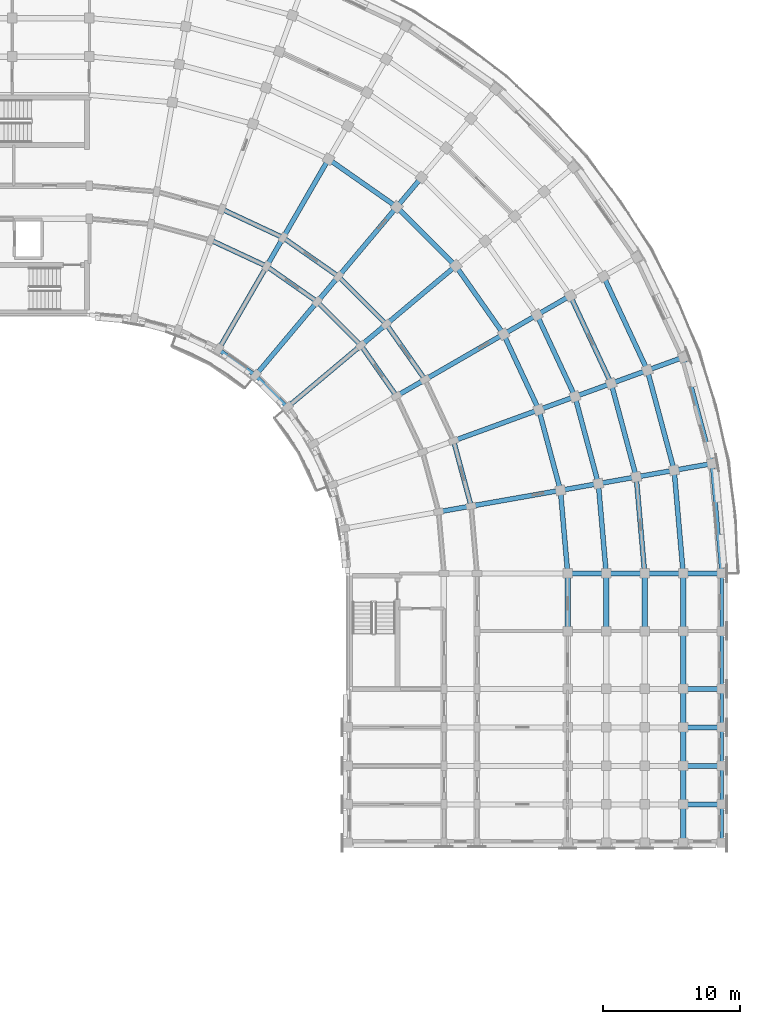
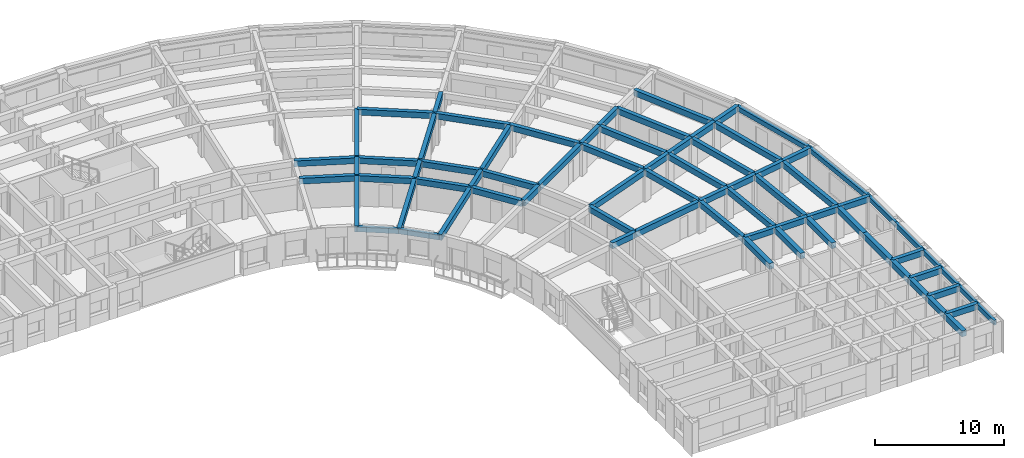
# One storey, part 13 of 57: 76 beams.
"""IFC4 building model written with IfcOpenShell, lengths in metres."""

import ifcopenshell
import ifcopenshell.guid

model = None  # the IFC model being written
_history = None  # IfcOwnerHistory: only IFC2X3 demands one
_inside = {}  # id of a spatial element -> (the spatial element, [elements in it])
_under = {}  # id of a project, library or spatial element -> (it, [spatial elements below it])
_declared = {}  # id of a project -> (the project, [libraries it declares])
_typed = {}  # id of a type object -> (the type object, [elements of that type])
_made_of = {}  # id of a material, layer set ... -> (it, [elements and type objects made of it])


def new_model(schema):
    """Start an empty IFC model of exactly this schema.

    Asked for "IFC4X3", IfcOpenShell would pick the latest addendum, in which some entities
    have other attributes; the version numbers below select the first issue.
    IFC2X3 requires an IfcOwnerHistory on every rooted entity: one is made here for all.
    """
    global model, _history
    if schema == "IFC4X3":
        model = ifcopenshell.file(schema_version=(4, 3, 0, 0))
    else:
        model = ifcopenshell.file(schema=schema)
    _inside.clear()
    _under.clear()
    _declared.clear()
    _typed.clear()
    _made_of.clear()
    _history = None
    if model.schema == "IFC2X3":
        org = make("IfcOrganization", Name="unknown")
        user = make(
            "IfcPersonAndOrganization",
            ThePerson=make("IfcPerson", FamilyName="unknown"),
            TheOrganization=org,
        )
        app = make(
            "IfcApplication",
            ApplicationDeveloper=org,
            Version="unknown",
            ApplicationFullName="unknown",
            ApplicationIdentifier="unknown",
        )
        _history = make(
            "IfcOwnerHistory",
            OwningUser=user,
            OwningApplication=app,
            ChangeAction="ADDED",
            CreationDate=0,
        )
    return model


def make(cls, **values):
    """One entity of the class cls with the attributes given. An attribute that is None is left unset."""
    return model.create_entity(
        cls, **{name: value for name, value in values.items() if value is not None}
    )


def rooted(cls, **values):
    """An entity with a GlobalId (a new one), such as an element, a storey or a relation."""
    return make(cls, GlobalId=ifcopenshell.guid.new(), OwnerHistory=_history, **values)


def si_unit(unit_type, name, prefix=None):
    """IfcSIUnit, for example si_unit("LENGTHUNIT", "METRE", prefix="MILLI")."""
    return make("IfcSIUnit", UnitType=unit_type, Prefix=prefix, Name=name)


def assignment(units):
    """IfcUnitAssignment: the units of a project."""
    return None if units is None else make("IfcUnitAssignment", Units=units)


def point(xyz):
    """IfcCartesianPoint."""
    return None if xyz is None else make("IfcCartesianPoint", Coordinates=xyz)


def direction(xyz):
    """IfcDirection."""
    return None if xyz is None else make("IfcDirection", DirectionRatios=xyz)


def frame(location, z_axis=None, x_axis=None):
    """IfcAxis2Placement3D, a coordinate frame: its origin and axes. An axis left out is left unset."""
    return make(
        "IfcAxis2Placement3D",
        Location=point(location),
        Axis=direction(z_axis),
        RefDirection=direction(x_axis),
    )


def frame_2d(location, x_axis=None):
    """IfcAxis2Placement2D, a coordinate frame in the plane: its origin and x axis."""
    return make(
        "IfcAxis2Placement2D", Location=point(location), RefDirection=direction(x_axis)
    )


def origin():
    """The frame at (0, 0, 0) with its axes left unset."""
    return frame((0.0, 0.0, 0.0))


def origin_2d():
    """The frame at (0, 0) in the plane with its x axis left unset."""
    return frame_2d((0.0, 0.0))


def place(relative_to, where):
    """IfcLocalPlacement: puts the frame where relative to a parent placement (None: the world)."""
    return make(
        "IfcLocalPlacement", PlacementRelTo=relative_to, RelativePlacement=where
    )


def context(
    kind, dimensions, precision=None, world=None, true_north=None, identifier=None
):
    """IfcGeometricRepresentationContext, for example the 3D "Model" context."""
    return make(
        "IfcGeometricRepresentationContext",
        ContextIdentifier=identifier,
        ContextType=kind,
        CoordinateSpaceDimension=dimensions,
        Precision=precision,
        WorldCoordinateSystem=world,
        TrueNorth=true_north,
    )


def subcontext(parent, identifier, kind, view, scale=None):
    """IfcGeometricRepresentationSubContext, for example "Body" below "Model"."""
    return make(
        "IfcGeometricRepresentationSubContext",
        ContextIdentifier=identifier,
        ContextType=kind,
        ParentContext=parent,
        TargetScale=scale,
        TargetView=view,
    )


def project(units=None, contexts=None):
    """IfcProject with its units and contexts."""
    return rooted(
        "IfcProject",
        Name="project",
        RepresentationContexts=contexts,
        UnitsInContext=assignment(units),
    )


def spatial(cls, under=None, at=None, **own):
    """A site, building, storey or space (cls), placed at a placement, below another one or the project."""
    s = rooted(cls, ObjectPlacement=at, **own)
    if under is not None:
        _under.setdefault(under.id(), (under, []))[1].append(s)
    return s


def profile(cls, at=None, kind="AREA", **sizes):
    """A parametric profile (cls). Its sizes go by their IFC names, for example OverallWidth=200.0."""
    return make(cls, ProfileType=kind, Position=at, **sizes)


def rectangle(**sizes):
    """IfcRectangleProfileDef."""
    return profile("IfcRectangleProfileDef", **sizes)


def extrude(swept, where, along, depth):
    """IfcExtrudedAreaSolid: the profile swept, set in the frame where, extruded along a direction by depth."""
    return make(
        "IfcExtrudedAreaSolid",
        SweptArea=swept,
        Position=where,
        ExtrudedDirection=direction(along),
        Depth=depth,
    )


def shape(context_of_items, identifier, shape_type, items):
    """IfcShapeRepresentation: the items that make up one representation, for example the "Body"."""
    return make(
        "IfcShapeRepresentation",
        ContextOfItems=context_of_items,
        RepresentationIdentifier=identifier,
        RepresentationType=shape_type,
        Items=items,
    )


def material(Name=None, Category=None):
    """IfcMaterial."""
    return make("IfcMaterial", Name=Name, Category=Category)


def material_profile(
    of_material, cross_section, Name=None, Category=None, Priority=None
):
    """IfcMaterialProfile: a cross section and its material."""
    return make(
        "IfcMaterialProfile",
        Name=Name,
        Material=of_material,
        Profile=cross_section,
        Priority=Priority,
        Category=Category,
    )


def profile_set(profiles, Name=None, composite=None):
    """IfcMaterialProfileSet."""
    return make(
        "IfcMaterialProfileSet",
        Name=Name,
        MaterialProfiles=profiles,
        CompositeProfile=composite,
    )


def made_of(thing, what):
    """Note that an element or type object is made of a material, layer set ...; save() writes the relation."""
    if what is not None:
        _made_of.setdefault(what.id(), (what, []))[1].append(thing)
    return thing


def type_object(cls, material=None, **own):
    """A type object (cls), such as IfcWallType, which elements share."""
    return made_of(rooted(cls, **own), material)


def element(
    cls,
    number,
    at=None,
    inside=None,
    cuts=None,
    type_object=None,
    material=None,
    context=None,
    identifier="Body",
    shape_type=None,
    held_by="IfcProductDefinitionShape",
    body=None,
    shapes=None,
    **own,
):
    """One element of the class cls, such as IfcWall. Its Tag is "e" and its number.

    at: its placement. inside: the storey or other place that contains it. cuts: it is an
    opening in that element (IfcRelVoidsElement). A single representation is given by context,
    identifier, shape_type and body (its items); several are given by shapes. held_by: the class
    of the entity that holds the representations. save() writes the other relations.
    """
    e = rooted(cls, Tag="e%d" % number, ObjectPlacement=at, **own)
    if body is not None:
        shapes = [shape(context, identifier, shape_type, body)]
    if shapes is not None:
        e.Representation = make(held_by, Representations=shapes)
    if inside is not None:
        _inside.setdefault(inside.id(), (inside, []))[1].append(e)
    if cuts is not None:
        rooted(
            "IfcRelVoidsElement", RelatingBuildingElement=cuts, RelatedOpeningElement=e
        )
    if type_object is not None:
        _typed.setdefault(type_object.id(), (type_object, []))[1].append(e)
    return made_of(e, material)


def aggregate(whole, parts):
    """IfcRelAggregates: a whole, such as a stair, and the parts it consists of."""
    return rooted("IfcRelAggregates", RelatingObject=whole, RelatedObjects=parts)


def save(model, path):
    """Write the relations noted so far, then the file.

    IfcRelAggregates (storeys below a building ...), IfcRelContainedInSpatialStructure (elements
    in a storey), IfcRelDefinesByType, IfcRelAssociatesMaterial and IfcRelDeclares: one each for
    every whole, place, type object, material and project.
    """
    for whole, parts in _under.values():
        aggregate(whole, parts)
    for where, things in _inside.values():
        rooted(
            "IfcRelContainedInSpatialStructure",
            RelatedElements=things,
            RelatingStructure=where,
        )
    for kind, things in _typed.values():
        rooted("IfcRelDefinesByType", RelatedObjects=things, RelatingType=kind)
    for what, things in _made_of.values():
        rooted("IfcRelAssociatesMaterial", RelatedObjects=things, RelatingMaterial=what)
    for by, libraries in _declared.values():
        rooted("IfcRelDeclares", RelatingContext=by, RelatedDefinitions=libraries)
    model.write(path)


model = new_model("IFC4")

# Units and contexts
model_context = context("Model", 3, precision=1e-05, world=origin(), true_north=direction((0.0, 1.0)))
body_context = subcontext(model_context, "Body", "Model", "MODEL_VIEW")
ifc_project = project(units=[si_unit("LENGTHUNIT", "METRE"), si_unit("AREAUNIT", "SQUARE_METRE"), si_unit("VOLUMEUNIT", "CUBIC_METRE"), si_unit("PLANEANGLEUNIT", "RADIAN"), si_unit("MASSUNIT", "GRAM", prefix="KILO")], contexts=[model_context])

# Site, building, storey
site_placement = place(None, origin())
site = spatial("IfcSite", under=ifc_project, at=site_placement, CompositionType="ELEMENT")
building_placement = place(site_placement, origin())
building = spatial("IfcBuilding", under=site, at=building_placement, Name="Kiranvali Square Residences", CompositionType="ELEMENT")
storey_placement = place(building_placement, frame((0.0, 0.0, 21.300048828125)))
storey = spatial("IfcBuildingStorey", under=building, at=storey_placement, Name="L06", CompositionType="ELEMENT", Elevation=21.300048828125)

# Beams
ifc_material_1 = material(Name="Concrete M40 (40 MPa)", Category="concrete")
ifc_material_profile_1 = material_profile(ifc_material_1, rectangle(XDim=0.35009765625, YDim=0.550048828125, at=origin_2d()), Name="RC 350x550")
ifc_profile_set_1 = profile_set([ifc_material_profile_1], Name="Concrete M40 (40 MPa)")
beam_type_1 = type_object("IfcBeamType", Name="BM-M40-350x550", PredefinedType="BEAM", material=ifc_profile_set_1)
beam_1_placement = place(storey_placement, frame((128.6240234375, 112.044189453125, 2.655029296875), z_axis=(0.906307919131, -0.422617978463, 0.0), x_axis=(0.422617978463, 0.906307919131, 0.0)))
element("IfcBeam", 1, at=beam_1_placement, inside=storey, type_object=beam_type_1, Name="L06 beam BM-B-L06-C02-R1", PredefinedType="BEAM", context=body_context, shape_type="SweptSolid", body=[
    extrude(rectangle(XDim=0.35009765625, YDim=0.550048828125, at=origin_2d()), origin(), (0.0, 0.0, 1.0), 4.497314453125),
])
beam_2_placement = place(storey_placement, frame((129.445068359375, 114.29931640625, 2.655029296875), z_axis=(0.906302381024, -0.422629854778, 0.0), x_axis=(0.422629854778, 0.906302381024, 0.0)))
element("IfcBeam", 2, at=beam_2_placement, inside=storey, type_object=beam_type_1, Name="L06 beam BM-B-L06-C02-R2", PredefinedType="BEAM", context=body_context, shape_type="SweptSolid", body=[
    extrude(rectangle(XDim=0.35009765625, YDim=0.550048828125, at=origin_2d()), origin(), (0.0, 0.0, 1.0), 4.915283203125),
])
beam_3_placement = place(storey_placement, frame((132.699951171875, 110.1435546875, 2.655029296875), z_axis=(0.819155404658, -0.573571637217, 0.0), x_axis=(0.573571637217, 0.819155404658, 0.0)))
element("IfcBeam", 3, at=beam_3_placement, inside=storey, type_object=beam_type_1, Name="L06 beam BM-B-L06-C03-R1", PredefinedType="BEAM", context=body_context, shape_type="SweptSolid", body=[
    extrude(rectangle(XDim=0.35009765625, YDim=0.550048828125, at=origin_2d()), origin(), (0.0, 0.0, 1.0), 4.497314453125),
])
beam_4_placement = place(storey_placement, frame((133.89990234375, 112.221923828125, 2.655029296875), z_axis=(0.819140911474, -0.573592335331, 0.0), x_axis=(0.573592335331, 0.819140911474, 0.0)))
element("IfcBeam", 4, at=beam_4_placement, inside=storey, type_object=beam_type_1, Name="L06 beam BM-B-L06-C03-R2", PredefinedType="BEAM", context=body_context, shape_type="SweptSolid", body=[
    extrude(rectangle(XDim=0.35009765625, YDim=0.550048828125, at=origin_2d()), origin(), (0.0, 0.0, 1.0), 4.915771484375),
])
beam_5_placement = place(storey_placement, frame((137.199951171875, 117.937744140625, 2.655029296875), z_axis=(0.81913926159, -0.573594691504, 0.0), x_axis=(0.573594691504, 0.81913926159, 0.0)))
element("IfcBeam", 5, at=beam_5_placement, inside=storey, type_object=beam_type_1, Name="L06 beam BM-B-L06-C03-R3", PredefinedType="BEAM", context=body_context, shape_type="SweptSolid", body=[
    extrude(rectangle(XDim=0.35009765625, YDim=0.550048828125, at=origin_2d()), origin(), (0.0, 0.0, 1.0), 6.066162109375),
])
beam_6_placement = place(storey_placement, frame((136.384033203125, 107.56396484375, 2.655029296875), z_axis=(0.707106781187, -0.707106781187, 0.0), x_axis=(0.707106781187, 0.707106781187, 0.0)))
element("IfcBeam", 6, at=beam_6_placement, inside=storey, type_object=beam_type_1, Name="L06 beam BM-B-L06-C04-R1", PredefinedType="BEAM", context=body_context, shape_type="SweptSolid", body=[
    extrude(rectangle(XDim=0.35009765625, YDim=0.550048828125, at=origin_2d()), origin(), (0.0, 0.0, 1.0), 4.4970703125),
])
beam_7_placement = place(storey_placement, frame((137.926513671875, 109.40234375, 2.655029296875), z_axis=(0.707106781187, -0.707106781187, 0.0), x_axis=(0.707106781187, 0.707106781187, 0.0)))
element("IfcBeam", 7, at=beam_7_placement, inside=storey, type_object=beam_type_1, Name="L06 beam BM-B-L06-C04-R2", PredefinedType="BEAM", context=body_context, shape_type="SweptSolid", body=[
    extrude(rectangle(XDim=0.35009765625, YDim=0.550048828125, at=origin_2d()), origin(), (0.0, 0.0, 1.0), 4.91552734375),
])
beam_8_placement = place(storey_placement, frame((142.1689453125, 114.458251953125, 2.655029296875), z_axis=(0.707106781187, -0.707106781187, 0.0), x_axis=(0.707106781187, 0.707106781187, 0.0)))
element("IfcBeam", 8, at=beam_8_placement, inside=storey, type_object=beam_type_1, Name="L06 beam BM-B-L06-C04-R3", PredefinedType="BEAM", context=body_context, shape_type="SweptSolid", body=[
    extrude(rectangle(XDim=0.35009765625, YDim=0.550048828125, at=origin_2d()), origin(), (0.0, 0.0, 1.0), 6.06591796875),
])
beam_9_placement = place(storey_placement, frame((139.56396484375, 104.384033203125, 2.655029296875), z_axis=(0.573571637217, -0.819155404658, 0.0), x_axis=(0.819155404658, 0.573571637217, 0.0)))
element("IfcBeam", 9, at=beam_9_placement, inside=storey, type_object=beam_type_1, Name="L06 beam BM-B-L06-C05-R1", PredefinedType="BEAM", context=body_context, shape_type="SweptSolid", body=[
    extrude(rectangle(XDim=0.35009765625, YDim=0.550048828125, at=origin_2d()), origin(), (0.0, 0.0, 1.0), 4.497314453125),
])
beam_10_placement = place(storey_placement, frame((141.40234375, 105.926513671875, 2.655029296875), z_axis=(0.573592335331, -0.819140911474, 0.0), x_axis=(0.819140911474, 0.573592335331, 0.0)))
element("IfcBeam", 10, at=beam_10_placement, inside=storey, type_object=beam_type_1, Name="L06 beam BM-B-L06-C05-R2", PredefinedType="BEAM", context=body_context, shape_type="SweptSolid", body=[
    extrude(rectangle(XDim=0.35009765625, YDim=0.550048828125, at=origin_2d()), origin(), (0.0, 0.0, 1.0), 4.915771484375),
])
beam_11_placement = place(storey_placement, frame((146.458251953125, 110.1689453125, 2.655029296875), z_axis=(0.573594691504, -0.81913926159, 0.0), x_axis=(0.81913926159, 0.573594691504, 0.0)))
element("IfcBeam", 11, at=beam_11_placement, inside=storey, type_object=beam_type_1, Name="L06 beam BM-B-L06-C05-R3", PredefinedType="BEAM", context=body_context, shape_type="SweptSolid", body=[
    extrude(rectangle(XDim=0.35009765625, YDim=0.550048828125, at=origin_2d()), origin(), (0.0, 0.0, 1.0), 6.066162109375),
])
beam_12_placement = place(storey_placement, frame((149.937744140625, 105.199951171875, 2.655029296875), z_axis=(0.42260781991, -0.906312656069, 0.0), x_axis=(0.906312656069, 0.42260781991, 0.0)))
element("IfcBeam", 12, at=beam_12_placement, inside=storey, type_object=beam_type_1, Name="L06 beam BM-B-L06-C06-R3", PredefinedType="BEAM", context=body_context, shape_type="SweptSolid", body=[
    extrude(rectangle(XDim=0.35009765625, YDim=0.550048828125, at=origin_2d()), origin(), (0.0, 0.0, 1.0), 6.06591796875),
])
beam_13_placement = place(storey_placement, frame((152.362548828125, 106.60009765625, 2.655029296875), z_axis=(0.422595876255, -0.906318225223, 0.0), x_axis=(0.906318225223, 0.422595876255, 0.0)))
element("IfcBeam", 13, at=beam_13_placement, inside=storey, type_object=beam_type_1, Name="L06 beam BM-B-L06-C06-R4", PredefinedType="BEAM", context=body_context, shape_type="SweptSolid", body=[
    extrude(rectangle(XDim=0.35009765625, YDim=0.550048828125, at=origin_2d()), origin(), (0.0, 0.0, 1.0), 6.55419921875),
])
beam_14_placement = place(storey_placement, frame((154.787353515625, 108.0, 2.655029296875), z_axis=(0.422640621205, -0.906297360311, 0.0), x_axis=(0.906297360311, 0.422640621205, 0.0)))
element("IfcBeam", 14, at=beam_14_placement, inside=storey, type_object=beam_type_1, Name="L06 beam BM-B-L06-C06-R5", PredefinedType="BEAM", context=body_context, shape_type="SweptSolid", body=[
    extrude(rectangle(XDim=0.35009765625, YDim=0.550048828125, at=origin_2d()), origin(), (0.0, 0.0, 1.0), 7.042236328125),
])
beam_15_placement = place(storey_placement, frame((157.21240234375, 109.39990234375, 2.655029296875), z_axis=(0.422613886933, -0.90630982703, 0.0), x_axis=(0.90630982703, 0.422613886933, 0.0)))
element("IfcBeam", 15, at=beam_15_placement, inside=storey, type_object=beam_type_1, Name="L06 beam BM-B-L06-C06-R6", PredefinedType="BEAM", context=body_context, shape_type="SweptSolid", body=[
    extrude(rectangle(XDim=0.35009765625, YDim=0.550048828125, at=origin_2d()), origin(), (0.0, 0.0, 1.0), 7.5302734375),
])
beam_16_placement = place(storey_placement, frame((146.29931640625, 97.445068359375, 2.655029296875), z_axis=(0.258803112091, -0.965930095386, 0.0), x_axis=(0.965930095386, 0.258803112091, 0.0)))
element("IfcBeam", 16, at=beam_16_placement, inside=storey, type_object=beam_type_1, Name="L06 beam BM-B-L06-C07-R2", PredefinedType="BEAM", context=body_context, shape_type="SweptSolid", body=[
    extrude(rectangle(XDim=0.35009765625, YDim=0.550048828125, at=origin_2d()), origin(), (0.0, 0.0, 1.0), 4.915771484375),
])
beam_17_placement = place(storey_placement, frame((152.501220703125, 99.702392578125, 2.655029296875), z_axis=(0.258827283048, -0.965923618901, 0.0), x_axis=(0.965923618901, 0.258827283048, 0.0)))
element("IfcBeam", 17, at=beam_17_placement, inside=storey, type_object=beam_type_1, Name="L06 beam BM-B-L06-C07-R3", PredefinedType="BEAM", context=body_context, shape_type="SweptSolid", body=[
    extrude(rectangle(XDim=0.35009765625, YDim=0.550048828125, at=origin_2d()), origin(), (0.0, 0.0, 1.0), 6.066162109375),
])
beam_18_placement = place(storey_placement, frame((155.13232421875, 100.659912109375, 2.655029296875), z_axis=(0.258847178297, -0.965918287583, 0.0), x_axis=(0.965918287583, 0.258847178297, 0.0)))
element("IfcBeam", 18, at=beam_18_placement, inside=storey, type_object=beam_type_1, Name="L06 beam BM-B-L06-C07-R4", PredefinedType="BEAM", context=body_context, shape_type="SweptSolid", body=[
    extrude(rectangle(XDim=0.35009765625, YDim=0.550048828125, at=origin_2d()), origin(), (0.0, 0.0, 1.0), 6.55419921875),
])
beam_19_placement = place(storey_placement, frame((157.763671875, 101.61767578125, 2.655029296875), z_axis=(0.258799624492, -0.965931029817, 0.0), x_axis=(0.965931029817, 0.258799624492, 0.0)))
element("IfcBeam", 19, at=beam_19_placement, inside=storey, type_object=beam_type_1, Name="L06 beam BM-B-L06-C07-R5", PredefinedType="BEAM", context=body_context, shape_type="SweptSolid", body=[
    extrude(rectangle(XDim=0.35009765625, YDim=0.550048828125, at=origin_2d()), origin(), (0.0, 0.0, 1.0), 7.042236328125),
])
beam_20_placement = place(storey_placement, frame((160.394775390625, 102.5751953125, 2.655029296875), z_axis=(0.258818733833, -0.965925909693, 0.0), x_axis=(0.965925909693, 0.258818733833, 0.0)))
element("IfcBeam", 20, at=beam_20_placement, inside=storey, type_object=beam_type_1, Name="L06 beam BM-B-L06-C07-R6", PredefinedType="BEAM", context=body_context, shape_type="SweptSolid", body=[
    extrude(rectangle(XDim=0.35009765625, YDim=0.550048828125, at=origin_2d()), origin(), (0.0, 0.0, 1.0), 7.5302734375),
])
beam_21_placement = place(storey_placement, frame((154.0712890625, 93.843017578125, 2.655029296875), z_axis=(0.087174938512, -0.996193018494, 0.0), x_axis=(0.996193018494, 0.087174938512, 0.0)))
element("IfcBeam", 21, at=beam_21_placement, inside=storey, type_object=beam_type_1, Name="L06 beam BM-B-L06-C08-R3", PredefinedType="BEAM", context=body_context, shape_type="SweptSolid", body=[
    extrude(rectangle(XDim=0.35009765625, YDim=0.550048828125, at=origin_2d()), origin(), (0.0, 0.0, 1.0), 6.066162109375),
])
beam_22_placement = place(storey_placement, frame((156.828857421875, 94.3291015625, 2.655029296875), z_axis=(0.0871295204, -0.996196991902, 0.0), x_axis=(0.996196991902, 0.0871295204, 0.0)))
element("IfcBeam", 22, at=beam_22_placement, inside=storey, type_object=beam_type_1, Name="L06 beam BM-B-L06-C08-R4", PredefinedType="BEAM", context=body_context, shape_type="SweptSolid", body=[
    extrude(rectangle(XDim=0.35009765625, YDim=0.550048828125, at=origin_2d()), origin(), (0.0, 0.0, 1.0), 6.553955078125),
])
beam_23_placement = place(storey_placement, frame((159.586181640625, 94.8154296875, 2.655029296875), z_axis=(0.087156198737, -0.996194658198, 0.0), x_axis=(0.996194658198, 0.087156198737, 0.0)))
element("IfcBeam", 23, at=beam_23_placement, inside=storey, type_object=beam_type_1, Name="L06 beam BM-B-L06-C08-R5", PredefinedType="BEAM", context=body_context, shape_type="SweptSolid", body=[
    extrude(rectangle(XDim=0.35009765625, YDim=0.550048828125, at=origin_2d()), origin(), (0.0, 0.0, 1.0), 7.042236328125),
])
beam_24_placement = place(storey_placement, frame((162.34375, 95.301513671875, 2.655029296875), z_axis=(0.087150058103, -0.996195195417, 0.0), x_axis=(0.996195195417, 0.087150058103, 0.0)))
element("IfcBeam", 24, at=beam_24_placement, inside=storey, type_object=beam_type_1, Name="L06 beam BM-B-L06-C08-R6", PredefinedType="BEAM", context=body_context, shape_type="SweptSolid", body=[
    extrude(rectangle(XDim=0.35009765625, YDim=0.550048828125, at=origin_2d()), origin(), (0.0, 0.0, 1.0), 7.530029296875),
])
beam_25_placement = place(storey_placement, frame((129.199951171875, 104.081298828125, 2.655029296875), z_axis=(0.499995173006, 0.866028190633, 0.0), x_axis=(-0.866028190633, 0.499995173006, 0.0)))
element("IfcBeam", 25, at=beam_25_placement, inside=storey, type_object=beam_type_1, Name="L06 beam BM-B-L06-RAD03-01", PredefinedType="BEAM", context=body_context, shape_type="SweptSolid", body=[
    extrude(rectangle(XDim=0.35009765625, YDim=0.550048828125, at=origin_2d()), origin(), (0.0, 0.0, 1.0), 7.0),
])
beam_26_placement = place(storey_placement, frame((132.699951171875, 110.1435546875, 2.655029296875), z_axis=(0.500001309137, 0.866024647952, 0.0), x_axis=(-0.866024647952, 0.500001309137, 0.0)))
element("IfcBeam", 26, at=beam_26_placement, inside=storey, type_object=beam_type_1, Name="L06 beam BM-B-L06-RAD03-12", PredefinedType="BEAM", context=body_context, shape_type="SweptSolid", body=[
    extrude(rectangle(XDim=0.35009765625, YDim=0.550048828125, at=origin_2d()), origin(), (0.0, 0.0, 1.0), 2.39990234375),
])
beam_27_placement = place(storey_placement, frame((133.89990234375, 112.221923828125, 2.655029296875), z_axis=(0.500002094529, 0.866024194504, 0.0), x_axis=(-0.866024194504, 0.500002094529, 0.0)))
element("IfcBeam", 27, at=beam_27_placement, inside=storey, type_object=beam_type_1, Name="L06 beam BM-B-L06-RAD03-23", PredefinedType="BEAM", context=body_context, shape_type="SweptSolid", body=[
    extrude(rectangle(XDim=0.35009765625, YDim=0.550048828125, at=origin_2d()), origin(), (0.0, 0.0, 1.0), 6.60009765625),
])
beam_28_placement = place(storey_placement, frame((131.884521484375, 102.20166015625, 2.655029296875), z_axis=(0.642787931032, 0.766044173478, 0.0), x_axis=(-0.766044173478, 0.642787931032, 0.0)))
element("IfcBeam", 28, at=beam_28_placement, inside=storey, type_object=beam_type_1, Name="L06 beam BM-B-L06-RAD04-01", PredefinedType="BEAM", context=body_context, shape_type="SweptSolid", body=[
    extrude(rectangle(XDim=0.35009765625, YDim=0.550048828125, at=origin_2d()), origin(), (0.0, 0.0, 1.0), 7.0),
])
beam_29_placement = place(storey_placement, frame((136.384033203125, 107.56396484375, 2.655029296875), z_axis=(0.642762521781, 0.766065493671, 0.0), x_axis=(-0.766065493671, 0.642762521781, 0.0)))
element("IfcBeam", 29, at=beam_29_placement, inside=storey, type_object=beam_type_1, Name="L06 beam BM-B-L06-RAD04-12", PredefinedType="BEAM", context=body_context, shape_type="SweptSolid", body=[
    extrude(rectangle(XDim=0.35009765625, YDim=0.550048828125, at=origin_2d()), origin(), (0.0, 0.0, 1.0), 2.399658203125),
])
beam_30_placement = place(storey_placement, frame((137.926513671875, 109.40234375, 2.655029296875), z_axis=(0.642789470807, 0.766042881449, 0.0), x_axis=(-0.766042881449, 0.642789470807, 0.0)))
element("IfcBeam", 30, at=beam_30_placement, inside=storey, type_object=beam_type_1, Name="L06 beam BM-B-L06-RAD04-23", PredefinedType="BEAM", context=body_context, shape_type="SweptSolid", body=[
    extrude(rectangle(XDim=0.35009765625, YDim=0.550048828125, at=origin_2d()), origin(), (0.0, 0.0, 1.0), 6.60009765625),
])
beam_31_placement = place(storey_placement, frame((142.1689453125, 114.458251953125, 2.655029296875), z_axis=(0.642770757628, 0.766058583359, 0.0), x_axis=(-0.766058583359, 0.642770757628, 0.0)))
element("IfcBeam", 31, at=beam_31_placement, inside=storey, type_object=beam_type_1, Name="L06 beam BM-B-L06-RAD04-34", PredefinedType="BEAM", context=body_context, shape_type="SweptSolid", body=[
    extrude(rectangle(XDim=0.35009765625, YDim=0.550048828125, at=origin_2d()), origin(), (0.0, 0.0, 1.0), 2.800048828125),
])
beam_32_placement = place(storey_placement, frame((134.20166015625, 99.884521484375, 2.655029296875), z_axis=(0.766044173478, 0.642787931032, 0.0), x_axis=(-0.642787931032, 0.766044173478, 0.0)))
element("IfcBeam", 32, at=beam_32_placement, inside=storey, type_object=beam_type_1, Name="L06 beam BM-B-L06-RAD05-01", PredefinedType="BEAM", context=body_context, shape_type="SweptSolid", body=[
    extrude(rectangle(XDim=0.35009765625, YDim=0.550048828125, at=origin_2d()), origin(), (0.0, 0.0, 1.0), 7.0),
])
beam_33_placement = place(storey_placement, frame((139.56396484375, 104.384033203125, 2.655029296875), z_axis=(0.766065493671, 0.642762521781, 0.0), x_axis=(-0.642762521781, 0.766065493671, 0.0)))
element("IfcBeam", 33, at=beam_33_placement, inside=storey, type_object=beam_type_1, Name="L06 beam BM-B-L06-RAD05-12", PredefinedType="BEAM", context=body_context, shape_type="SweptSolid", body=[
    extrude(rectangle(XDim=0.35009765625, YDim=0.550048828125, at=origin_2d()), origin(), (0.0, 0.0, 1.0), 2.399658203125),
])
beam_34_placement = place(storey_placement, frame((141.40234375, 105.926513671875, 2.655029296875), z_axis=(0.766042881449, 0.642789470807, 0.0), x_axis=(-0.642789470807, 0.766042881449, 0.0)))
element("IfcBeam", 34, at=beam_34_placement, inside=storey, type_object=beam_type_1, Name="L06 beam BM-B-L06-RAD05-23", PredefinedType="BEAM", context=body_context, shape_type="SweptSolid", body=[
    extrude(rectangle(XDim=0.35009765625, YDim=0.550048828125, at=origin_2d()), origin(), (0.0, 0.0, 1.0), 6.60009765625),
])
beam_35_placement = place(storey_placement, frame((142.1435546875, 100.699951171875, 2.655029296875), z_axis=(0.866024647952, 0.500001309137, 0.0), x_axis=(-0.500001309137, 0.866024647952, 0.0)))
element("IfcBeam", 35, at=beam_35_placement, inside=storey, type_object=beam_type_1, Name="L06 beam BM-B-L06-RAD06-12", PredefinedType="BEAM", context=body_context, shape_type="SweptSolid", body=[
    extrude(rectangle(XDim=0.35009765625, YDim=0.550048828125, at=origin_2d()), origin(), (0.0, 0.0, 1.0), 2.39990234375),
])
beam_36_placement = place(storey_placement, frame((144.221923828125, 101.89990234375, 2.655029296875), z_axis=(0.866024194504, 0.500002094529, 0.0), x_axis=(-0.500002094529, 0.866024194504, 0.0)))
element("IfcBeam", 36, at=beam_36_placement, inside=storey, type_object=beam_type_1, Name="L06 beam BM-B-L06-RAD06-23", PredefinedType="BEAM", context=body_context, shape_type="SweptSolid", body=[
    extrude(rectangle(XDim=0.35009765625, YDim=0.550048828125, at=origin_2d()), origin(), (0.0, 0.0, 1.0), 6.60009765625),
])
beam_37_placement = place(storey_placement, frame((149.937744140625, 105.199951171875, 2.655029296875), z_axis=(0.865996816683, 0.500049511043, 0.0), x_axis=(-0.500049511043, 0.865996816683, 0.0)))
element("IfcBeam", 37, at=beam_37_placement, inside=storey, type_object=beam_type_1, Name="L06 beam BM-B-L06-RAD06-34", PredefinedType="BEAM", context=body_context, shape_type="SweptSolid", body=[
    extrude(rectangle(XDim=0.35009765625, YDim=0.550048828125, at=origin_2d()), origin(), (0.0, 0.0, 1.0), 2.800048828125),
])
beam_38_placement = place(storey_placement, frame((152.362548828125, 106.60009765625, 2.655029296875), z_axis=(0.866034573852, 0.49998411664, 0.0), x_axis=(-0.49998411664, 0.866034573852, 0.0)))
element("IfcBeam", 38, at=beam_38_placement, inside=storey, type_object=beam_type_1, Name="L06 beam BM-B-L06-RAD06-45", PredefinedType="BEAM", context=body_context, shape_type="SweptSolid", body=[
    extrude(rectangle(XDim=0.35009765625, YDim=0.550048828125, at=origin_2d()), origin(), (0.0, 0.0, 1.0), 2.7998046875),
])
beam_39_placement = place(storey_placement, frame((146.29931640625, 97.445068359375, 2.655029296875), z_axis=(0.939691858249, 0.342022238372, 0.0), x_axis=(-0.342022238372, 0.939691858249, 0.0)))
element("IfcBeam", 39, at=beam_39_placement, inside=storey, type_object=beam_type_1, Name="L06 beam BM-B-L06-RAD07-23", PredefinedType="BEAM", context=body_context, shape_type="SweptSolid", body=[
    extrude(rectangle(XDim=0.35009765625, YDim=0.550048828125, at=origin_2d()), origin(), (0.0, 0.0, 1.0), 6.599853515625),
])
beam_40_placement = place(storey_placement, frame((152.501220703125, 99.702392578125, 2.655029296875), z_axis=(0.93970683422, 0.341981089711, 0.0), x_axis=(-0.341981089711, 0.93970683422, 0.0)))
element("IfcBeam", 40, at=beam_40_placement, inside=storey, type_object=beam_type_1, Name="L06 beam BM-B-L06-RAD07-34", PredefinedType="BEAM", context=body_context, shape_type="SweptSolid", body=[
    extrude(rectangle(XDim=0.35009765625, YDim=0.550048828125, at=origin_2d()), origin(), (0.0, 0.0, 1.0), 2.7998046875),
])
beam_41_placement = place(storey_placement, frame((155.13232421875, 100.659912109375, 2.655029296875), z_axis=(0.939689011208, 0.342030060398, 0.0), x_axis=(-0.342030060398, 0.939689011208, 0.0)))
element("IfcBeam", 41, at=beam_41_placement, inside=storey, type_object=beam_type_1, Name="L06 beam BM-B-L06-RAD07-45", PredefinedType="BEAM", context=body_context, shape_type="SweptSolid", body=[
    extrude(rectangle(XDim=0.35009765625, YDim=0.550048828125, at=origin_2d()), origin(), (0.0, 0.0, 1.0), 2.80029296875),
])
beam_42_placement = place(storey_placement, frame((157.763671875, 101.61767578125, 2.655029296875), z_axis=(0.93970683422, 0.341981089711, 0.0), x_axis=(-0.341981089711, 0.93970683422, 0.0)))
element("IfcBeam", 42, at=beam_42_placement, inside=storey, type_object=beam_type_1, Name="L06 beam BM-B-L06-RAD07-56", PredefinedType="BEAM", context=body_context, shape_type="SweptSolid", body=[
    extrude(rectangle(XDim=0.35009765625, YDim=0.550048828125, at=origin_2d()), origin(), (0.0, 0.0, 1.0), 2.7998046875),
])
beam_43_placement = place(storey_placement, frame((160.394775390625, 102.5751953125, 2.655029296875), z_axis=(0.939678810556, 0.342058084236, 0.0), x_axis=(-0.342058084236, 0.939678810556, 0.0)))
element("IfcBeam", 43, at=beam_43_placement, inside=storey, type_object=beam_type_1, Name="L06 beam BM-B-L06-RAD07-67", PredefinedType="BEAM", context=body_context, shape_type="SweptSolid", body=[
    extrude(rectangle(XDim=0.35009765625, YDim=0.550048828125, at=origin_2d()), origin(), (0.0, 0.0, 1.0), 2.800048828125),
])
beam_44_placement = place(storey_placement, frame((145.2080078125, 92.280029296875, 2.655029296875), z_axis=(0.984808127031, 0.173646056486, 0.0), x_axis=(-0.173646056486, 0.984808127031, 0.0)))
element("IfcBeam", 44, at=beam_44_placement, inside=storey, type_object=beam_type_1, Name="L06 beam BM-B-L06-RAD08-12", PredefinedType="BEAM", context=body_context, shape_type="SweptSolid", body=[
    extrude(rectangle(XDim=0.35009765625, YDim=0.550048828125, at=origin_2d()), origin(), (0.0, 0.0, 1.0), 2.39990234375),
])
beam_45_placement = place(storey_placement, frame((147.571533203125, 92.69677734375, 2.655029296875), z_axis=(0.984803661269, 0.173671381499, 0.0), x_axis=(-0.173671381499, 0.984803661269, 0.0)))
element("IfcBeam", 45, at=beam_45_placement, inside=storey, type_object=beam_type_1, Name="L06 beam BM-B-L06-RAD08-23", PredefinedType="BEAM", context=body_context, shape_type="SweptSolid", body=[
    extrude(rectangle(XDim=0.35009765625, YDim=0.550048828125, at=origin_2d()), origin(), (0.0, 0.0, 1.0), 6.60009765625),
])
beam_46_placement = place(storey_placement, frame((154.0712890625, 93.843017578125, 2.655029296875), z_axis=(0.984816895441, 0.173596320392, 0.0), x_axis=(-0.173596320392, 0.984816895441, 0.0)))
element("IfcBeam", 46, at=beam_46_placement, inside=storey, type_object=beam_type_1, Name="L06 beam BM-B-L06-RAD08-34", PredefinedType="BEAM", context=body_context, shape_type="SweptSolid", body=[
    extrude(rectangle(XDim=0.35009765625, YDim=0.550048828125, at=origin_2d()), origin(), (0.0, 0.0, 1.0), 2.800048828125),
])
beam_47_placement = place(storey_placement, frame((156.828857421875, 94.3291015625, 2.655029296875), z_axis=(0.984799355489, 0.173695795656, 0.0), x_axis=(-0.173695795656, 0.984799355489, 0.0)))
element("IfcBeam", 47, at=beam_47_placement, inside=storey, type_object=beam_type_1, Name="L06 beam BM-B-L06-RAD08-45", PredefinedType="BEAM", context=body_context, shape_type="SweptSolid", body=[
    extrude(rectangle(XDim=0.35009765625, YDim=0.550048828125, at=origin_2d()), origin(), (0.0, 0.0, 1.0), 2.7998046875),
])
beam_48_placement = place(storey_placement, frame((159.586181640625, 94.8154296875, 2.655029296875), z_axis=(0.984816895441, 0.173596320392, 0.0), x_axis=(-0.173596320392, 0.984816895441, 0.0)))
element("IfcBeam", 48, at=beam_48_placement, inside=storey, type_object=beam_type_1, Name="L06 beam BM-B-L06-RAD08-56", PredefinedType="BEAM", context=body_context, shape_type="SweptSolid", body=[
    extrude(rectangle(XDim=0.35009765625, YDim=0.550048828125, at=origin_2d()), origin(), (0.0, 0.0, 1.0), 2.800048828125),
])
for number, where, z_axis, x_axis, name in (
    (49, (162.34375, 95.301513671875, 2.655029296875), (0.984799355489, 0.173695795656, 0.0), (-0.173695795656, 0.984799355489, 0.0), "L06 beam BM-B-L06-RAD08-67"),
    (50, (154.60009765625, 87.800048828125, 2.655029296875), (1.0, 0.0, 0.0), (0.0, 1.0, 0.0), "L06 beam BM-B-L06-A2T0-34"),
):
    element("IfcBeam", number, at=place(storey_placement, frame(where, z_axis=z_axis, x_axis=x_axis)), inside=storey, type_object=beam_type_1, Name=name, PredefinedType="BEAM", context=body_context, shape_type="SweptSolid", body=[
        extrude(rectangle(XDim=0.35009765625, YDim=0.550048828125, at=origin_2d()), origin(), (0.0, 0.0, 1.0), 2.7998046875),
    ])
for number, where, z_axis, x_axis, name in (
    (51, (157.39990234375, 87.800048828125, 2.655029296875), (1.0, 0.0, 0.0), (0.0, 1.0, 0.0), "L06 beam BM-B-L06-A2T0-45"),
    (52, (160.199951171875, 87.800048828125, 2.655029296875), (1.0, 0.0, 0.0), (0.0, 1.0, 0.0), "L06 beam BM-B-L06-A2T0-56"),
    (53, (163.0, 87.800048828125, 2.655029296875), (1.0, 0.0, 0.0), (0.0, 1.0, 0.0), "L06 beam BM-B-L06-A2T0-67"),
    (54, (163.0, 79.39990234375, 2.655029296875), (1.0, 0.0, 0.0), (0.0, 1.0, 0.0), "L06 beam BM-B-L06-A2T1-67"),
    (55, (163.0, 76.60009765625, 2.655029296875), (1.0, 0.0, 0.0), (0.0, 1.0, 0.0), "L06 beam BM-B-L06-A2T2-67"),
    (56, (163.0, 73.800048828125, 2.655029296875), (1.0, 0.0, 0.0), (0.0, 1.0, 0.0), "L06 beam BM-B-L06-A2T3-67"),
    (57, (163.0, 71.0, 2.655029296875), (1.0, 0.0, 0.0), (0.0, 1.0, 0.0), "L06 beam BM-B-L06-A2T4-67"),
):
    element("IfcBeam", number, at=place(storey_placement, frame(where, z_axis=z_axis, x_axis=x_axis)), inside=storey, type_object=beam_type_1, Name=name, PredefinedType="BEAM", context=body_context, shape_type="SweptSolid", body=[
        extrude(rectangle(XDim=0.35009765625, YDim=0.550048828125, at=origin_2d()), origin(), (0.0, 0.0, 1.0), 2.800048828125),
    ])
ifc_material_2 = material(Name="Concrete M45 (45 MPa)", Category="concrete")
ifc_material_profile_2 = material_profile(ifc_material_2, rectangle(XDim=0.39990234375, YDim=0.550048828125, at=origin_2d()), Name="RC 400x550")
ifc_profile_set_2 = profile_set([ifc_material_profile_2], Name="Concrete M45 (45 MPa)")
beam_type_2 = type_object("IfcBeamType", Name="BM-M45-400x550", PredefinedType="BEAM", material=ifc_profile_set_2)
for number, where, z_axis, x_axis, name in (
    (58, (154.60009765625, 87.800048828125, 2.655029296875), (0.0, -1.0, 0.0), (1.0, 0.0, 0.0), "L06 beam BM-B-L06-A2V0-R3"),
    (59, (157.39990234375, 87.800048828125, 2.655029296875), (0.0, -1.0, 0.0), (1.0, 0.0, 0.0), "L06 beam BM-B-L06-A2V0-R4"),
    (60, (160.199951171875, 87.800048828125, 2.655029296875), (0.0, -1.0, 0.0), (1.0, 0.0, 0.0), "L06 beam BM-B-L06-A2V0-R5"),
    (61, (163.0, 87.800048828125, 2.655029296875), (0.0, -1.0, 0.0), (1.0, 0.0, 0.0), "L06 beam BM-B-L06-A2V0-R6"),
):
    element("IfcBeam", number, at=place(storey_placement, frame(where, z_axis=z_axis, x_axis=x_axis)), inside=storey, type_object=beam_type_2, Name=name, PredefinedType="BEAM", context=body_context, shape_type="SweptSolid", body=[
        extrude(rectangle(XDim=0.39990234375, YDim=0.550048828125, at=origin_2d()), origin(), (0.0, 0.0, 1.0), 4.199951171875),
    ])
beam_49_placement = place(storey_placement, frame((163.0, 83.60009765625, 2.655029296875), z_axis=(0.0, -1.0, 0.0), x_axis=(1.0, 0.0, 0.0)))
element("IfcBeam", 62, at=beam_49_placement, inside=storey, type_object=beam_type_2, Name="L06 beam BM-B-L06-A2V1-R6", PredefinedType="BEAM", context=body_context, shape_type="SweptSolid", body=[
    extrude(rectangle(XDim=0.39990234375, YDim=0.550048828125, at=origin_2d()), origin(), (0.0, 0.0, 1.0), 4.2001953125),
])
beam_50_placement = place(storey_placement, frame((163.0, 79.39990234375, 2.655029296875), z_axis=(0.0, -1.0, 0.0), x_axis=(1.0, 0.0, 0.0)))
element("IfcBeam", 63, at=beam_50_placement, inside=storey, type_object=beam_type_2, Name="L06 beam BM-B-L06-A2V2-R6", PredefinedType="BEAM", context=body_context, shape_type="SweptSolid", body=[
    extrude(rectangle(XDim=0.39990234375, YDim=0.550048828125, at=origin_2d()), origin(), (0.0, 0.0, 1.0), 2.7998046875),
])
for number, where, z_axis, x_axis, name in (
    (64, (163.0, 76.60009765625, 2.655029296875), (0.0, -1.0, 0.0), (1.0, 0.0, 0.0), "L06 beam BM-B-L06-A2V3-R6"),
    (65, (163.0, 73.800048828125, 2.655029296875), (0.0, -1.0, 0.0), (1.0, 0.0, 0.0), "L06 beam BM-B-L06-A2V4-R6"),
    (66, (163.0, 71.0, 2.655029296875), (0.0, -1.0, 0.0), (1.0, 0.0, 0.0), "L06 beam BM-B-L06-A2V5-R6"),
):
    element("IfcBeam", number, at=place(storey_placement, frame(where, z_axis=z_axis, x_axis=x_axis)), inside=storey, type_object=beam_type_2, Name=name, PredefinedType="BEAM", context=body_context, shape_type="SweptSolid", body=[
        extrude(rectangle(XDim=0.39990234375, YDim=0.550048828125, at=origin_2d()), origin(), (0.0, 0.0, 1.0), 2.800048828125),
    ])
ifc_material_profile_3 = material_profile(ifc_material_1, rectangle(XDim=0.25, YDim=0.449951171875, at=origin_2d()), Name="RC 250x450")
ifc_profile_set_3 = profile_set([ifc_material_profile_3], Name="Concrete M40 (40 MPa)")
beam_type_3 = type_object("IfcBeamType", Name="SPN-M40-250x450", PredefinedType="SPANDREL", material=ifc_profile_set_3)
beam_51_placement = place(storey_placement, frame((165.800048828125, 87.800048828125, 2.704833984375), z_axis=(0.0, -1.0, 0.0), x_axis=(1.0, 0.0, 0.0)))
element("IfcBeam", 67, at=beam_51_placement, inside=storey, type_object=beam_type_3, Name="L06 beam BM-B-L06-A2V0-R7", PredefinedType="SPANDREL", context=body_context, shape_type="SweptSolid", body=[
    extrude(rectangle(XDim=0.25, YDim=0.449951171875, at=origin_2d()), origin(), (0.0, 0.0, 1.0), 4.199951171875),
])
beam_52_placement = place(storey_placement, frame((165.800048828125, 83.60009765625, 2.704833984375), z_axis=(0.0, -1.0, 0.0), x_axis=(1.0, 0.0, 0.0)))
element("IfcBeam", 68, at=beam_52_placement, inside=storey, type_object=beam_type_3, Name="L06 beam BM-B-L06-A2V1-R7", PredefinedType="SPANDREL", context=body_context, shape_type="SweptSolid", body=[
    extrude(rectangle(XDim=0.25, YDim=0.449951171875, at=origin_2d()), origin(), (0.0, 0.0, 1.0), 4.2001953125),
])
beam_53_placement = place(storey_placement, frame((165.800048828125, 79.39990234375, 2.704833984375), z_axis=(0.0, -1.0, 0.0), x_axis=(1.0, 0.0, 0.0)))
element("IfcBeam", 69, at=beam_53_placement, inside=storey, type_object=beam_type_3, Name="L06 beam BM-B-L06-A2V2-R7", PredefinedType="SPANDREL", context=body_context, shape_type="SweptSolid", body=[
    extrude(rectangle(XDim=0.25, YDim=0.449951171875, at=origin_2d()), origin(), (0.0, 0.0, 1.0), 2.7998046875),
])
for number, where, z_axis, x_axis, name in (
    (70, (165.800048828125, 76.60009765625, 2.704833984375), (0.0, -1.0, 0.0), (1.0, 0.0, 0.0), "L06 beam BM-B-L06-A2V3-R7"),
    (71, (165.800048828125, 73.800048828125, 2.704833984375), (0.0, -1.0, 0.0), (1.0, 0.0, 0.0), "L06 beam BM-B-L06-A2V4-R7"),
    (72, (165.800048828125, 71.0, 2.704833984375), (0.0, -1.0, 0.0), (1.0, 0.0, 0.0), "L06 beam BM-B-L06-A2V5-R7"),
):
    element("IfcBeam", number, at=place(storey_placement, frame(where, z_axis=z_axis, x_axis=x_axis)), inside=storey, type_object=beam_type_3, Name=name, PredefinedType="SPANDREL", context=body_context, shape_type="SweptSolid", body=[
        extrude(rectangle(XDim=0.25, YDim=0.449951171875, at=origin_2d()), origin(), (0.0, 0.0, 1.0), 2.800048828125),
    ])
ifc_material_profile_4 = material_profile(ifc_material_1, rectangle(XDim=0.300048828125, YDim=0.449951171875, at=origin_2d()), Name="RC 300x450")
ifc_profile_set_4 = profile_set([ifc_material_profile_4], Name="Concrete M40 (40 MPa)")
beam_type_4 = type_object("IfcBeamType", Name="SPN-M40-300x450", PredefinedType="SPANDREL", material=ifc_profile_set_4)
beam_54_placement = place(storey_placement, frame((129.199951171875, 104.081298828125, 2.704833984375), z_axis=(0.81916891812, -0.573552337269, 0.0), x_axis=(0.573552337269, 0.81916891812, 0.0)))
element("IfcBeam", 73, at=beam_54_placement, inside=storey, type_object=beam_type_4, Name="L06 beam BM-B-L06-C03-R0", PredefinedType="SPANDREL", context=body_context, shape_type="SweptSolid", body=[
    extrude(rectangle(XDim=0.300048828125, YDim=0.449951171875, at=origin_2d()), origin(), (0.0, 0.0, 1.0), 3.277099609375),
])
beam_55_placement = place(storey_placement, frame((131.884521484375, 102.20166015625, 2.704833984375), z_axis=(0.707106781187, -0.707106781187, 0.0), x_axis=(0.707106781187, 0.707106781187, 0.0)))
element("IfcBeam", 74, at=beam_55_placement, inside=storey, type_object=beam_type_4, Name="L06 beam BM-B-L06-C04-R0", PredefinedType="SPANDREL", context=body_context, shape_type="SweptSolid", body=[
    extrude(rectangle(XDim=0.300048828125, YDim=0.449951171875, at=origin_2d()), origin(), (0.0, 0.0, 1.0), 3.27685546875),
])
for number, where, z_axis, x_axis, name in (
    (75, (163.02587890625, 103.532958984375, 2.704833984375), (0.258807108475, -0.96592902462, 0.0), (0.96592902462, 0.258807108475, 0.0), "L06 beam BM-B-L06-C07-R7"),
    (76, (165.10107421875, 95.787841796875, 2.704833984375), (0.087172238171, -0.996193254792, 0.0), (0.996193254792, 0.087172238171, 0.0), "L06 beam BM-B-L06-C08-R7"),
):
    element("IfcBeam", number, at=place(storey_placement, frame(where, z_axis=z_axis, x_axis=x_axis)), inside=storey, type_object=beam_type_4, Name=name, PredefinedType="SPANDREL", context=body_context, shape_type="SweptSolid", body=[
        extrude(rectangle(XDim=0.300048828125, YDim=0.449951171875, at=origin_2d()), origin(), (0.0, 0.0, 1.0), 8.018310546875),
    ])

save(model, "model.ifc")
